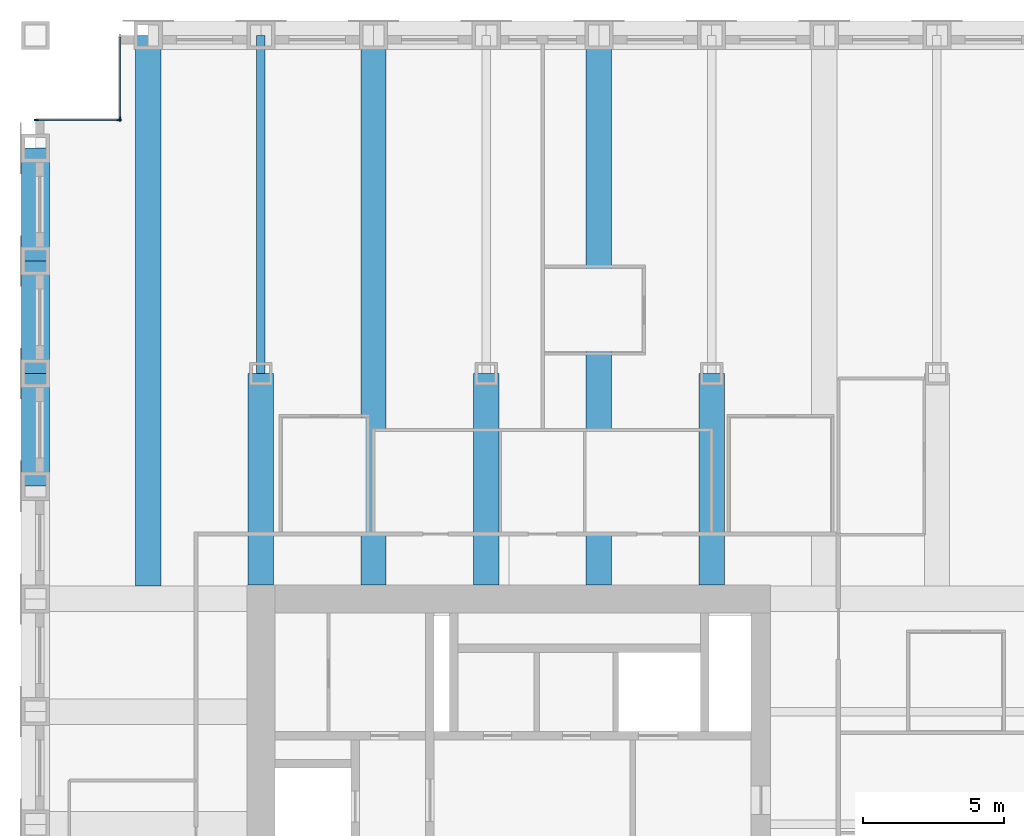
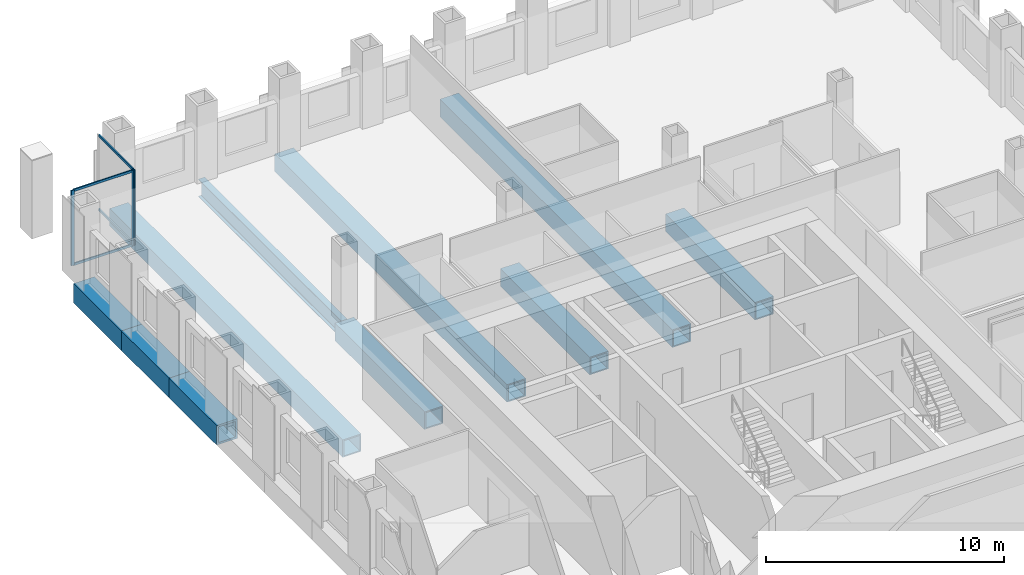
# One storey, part 5 of 14: 10 beams, 7 members, 2 elements without a shape of their own.
"""IFC4 building model written with IfcOpenShell, lengths in metres."""

from ifc_helpers import new_model, si_unit, direction, frame, origin, origin_2d, place, context, subcontext, project, spatial, rectangle, hollow_rectangle, i_section, extrude, material, material_profile, profile_set, type_object, element, aggregate, save


model = new_model("IFC4")

# Units and contexts
model_context = context("Model", 3, precision=1e-05, world=origin(), true_north=direction((0.0, 1.0)))
body_context = subcontext(model_context, "Body", "Model", "MODEL_VIEW")
ifc_project = project(units=[si_unit("LENGTHUNIT", "METRE"), si_unit("AREAUNIT", "SQUARE_METRE"), si_unit("VOLUMEUNIT", "CUBIC_METRE"), si_unit("PLANEANGLEUNIT", "RADIAN"), si_unit("MASSUNIT", "GRAM", prefix="KILO")], contexts=[model_context])

# Site, building, storey
site_placement = place(None, origin())
site = spatial("IfcSite", under=ifc_project, at=site_placement, CompositionType="ELEMENT")
building_placement = place(site_placement, origin())
building = spatial("IfcBuilding", under=site, at=building_placement, Name="Rimbunsela Tower", CompositionType="ELEMENT")
storey_placement = place(building_placement, frame((0.0, 0.0, 234.199951171875)))
storey = spatial("IfcBuildingStorey", under=building, at=storey_placement, Name="L56", CompositionType="ELEMENT", Elevation=234.199951171875)

# Beams
ifc_material_1 = material(Name="Steel BJ 55 (fy 410 MPa)", Category="steel")
ifc_material_profile_1 = material_profile(ifc_material_1, hollow_rectangle(XDim=1.0, YDim=1.0, WallThickness=0.10009765625, at=origin_2d()), Name="BOX 1000x1000x100")
ifc_profile_set_1 = profile_set([ifc_material_profile_1], Name="Steel BJ 55 (fy 410 MPa)")
beam_type_1 = type_object("IfcBeamType", Name="Beam BOX 1000x1000x100", PredefinedType="BEAM", material=ifc_profile_set_1)
for number, where, z_axis, x_axis, name in (
    (1, (10.0, 40.0, -0.64990234375), (0.0, 1.0, 0.0), (-1.0, 0.0, 0.0), "Beam B3 L56"),
    (2, (10.0, 44.0, -0.64990234375), (0.0, 1.0, 0.0), (-1.0, 0.0, 0.0), "Beam B3 L56"),
    (3, (10.0, 48.0, -0.64990234375), (0.0, 1.0, 0.0), (-1.0, 0.0, 0.0), "Beam B3 L56"),
):
    element("IfcBeam", number, at=place(storey_placement, frame(where, z_axis=z_axis, x_axis=x_axis)), inside=storey, type_object=beam_type_1, Name=name, PredefinedType="BEAM", context=body_context, shape_type="SweptSolid", body=[
        extrude(hollow_rectangle(XDim=1.0, YDim=1.0, WallThickness=0.10009765625, at=origin_2d()), origin(), (0.0, 0.0, 1.0), 4.0),
    ])
ifc_material_2 = material(Name="Steel BJ 55 (fy 410 MPa)", Category="steel")
ifc_material_profile_2 = material_profile(ifc_material_2, hollow_rectangle(XDim=0.89990234375, YDim=0.89990234375, WallThickness=0.06005859375, at=origin_2d()), Name="BOX 900x900x60")
ifc_profile_set_2 = profile_set([ifc_material_profile_2], Name="Steel BJ 55 (fy 410 MPa)")
beam_type_2 = type_object("IfcBeamType", Name="Beam BOX 900x900x60", PredefinedType="BEAM", material=ifc_profile_set_2)
beam_1_placement = place(storey_placement, frame((14.0, 36.449951171875, -0.599853515625), z_axis=(0.0, 1.0, 0.0), x_axis=(-1.0, 0.0, 0.0)))
element("IfcBeam", 4, at=beam_1_placement, inside=storey, type_object=beam_type_2, Name="Beam B1 L56", PredefinedType="BEAM", context=body_context, shape_type="SweptSolid", body=[
    extrude(hollow_rectangle(XDim=0.89990234375, YDim=0.89990234375, WallThickness=0.06005859375, at=origin_2d()), origin(), (0.0, 0.0, 1.0), 19.550048828125),
])
beam_2_placement = place(storey_placement, frame((18.0, 36.5, -0.599853515625), z_axis=(0.0, 1.0, 0.0), x_axis=(-1.0, 0.0, 0.0)))
element("IfcBeam", 5, at=beam_2_placement, inside=storey, type_object=beam_type_2, Name="Beam B1 L56", PredefinedType="BEAM", context=body_context, shape_type="SweptSolid", body=[
    extrude(hollow_rectangle(XDim=0.89990234375, YDim=0.89990234375, WallThickness=0.06005859375, at=origin_2d()), origin(), (0.0, 0.0, 1.0), 7.5),
])
beam_3_placement = place(storey_placement, frame((22.0, 36.5, -0.599853515625), z_axis=(0.0, 1.0, 0.0), x_axis=(-1.0, 0.0, 0.0)))
element("IfcBeam", 6, at=beam_3_placement, inside=storey, type_object=beam_type_2, Name="Beam B1 L56", PredefinedType="BEAM", context=body_context, shape_type="SweptSolid", body=[
    extrude(hollow_rectangle(XDim=0.89990234375, YDim=0.89990234375, WallThickness=0.06005859375, at=origin_2d()), origin(), (0.0, 0.0, 1.0), 19.5),
])
beam_4_placement = place(storey_placement, frame((26.0, 36.5, -0.599853515625), z_axis=(0.0, 1.0, 0.0), x_axis=(-1.0, 0.0, 0.0)))
element("IfcBeam", 7, at=beam_4_placement, inside=storey, type_object=beam_type_2, Name="Beam B1 L56", PredefinedType="BEAM", context=body_context, shape_type="SweptSolid", body=[
    extrude(hollow_rectangle(XDim=0.89990234375, YDim=0.89990234375, WallThickness=0.06005859375, at=origin_2d()), origin(), (0.0, 0.0, 1.0), 7.5),
])
beam_5_placement = place(storey_placement, frame((30.0, 36.5, -0.599853515625), z_axis=(0.0, 1.0, 0.0), x_axis=(-1.0, 0.0, 0.0)))
element("IfcBeam", 8, at=beam_5_placement, inside=storey, type_object=beam_type_2, Name="Beam B1 L56", PredefinedType="BEAM", context=body_context, shape_type="SweptSolid", body=[
    extrude(hollow_rectangle(XDim=0.89990234375, YDim=0.89990234375, WallThickness=0.06005859375, at=origin_2d()), origin(), (0.0, 0.0, 1.0), 19.5),
])
beam_6_placement = place(storey_placement, frame((34.0, 36.5, -0.599853515625), z_axis=(0.0, 1.0, 0.0), x_axis=(-1.0, 0.0, 0.0)))
element("IfcBeam", 9, at=beam_6_placement, inside=storey, type_object=beam_type_2, Name="Beam B1 L56", PredefinedType="BEAM", context=body_context, shape_type="SweptSolid", body=[
    extrude(hollow_rectangle(XDim=0.89990234375, YDim=0.89990234375, WallThickness=0.06005859375, at=origin_2d()), origin(), (0.0, 0.0, 1.0), 7.5),
])
ifc_material_3 = material(Name="Steel BJ 55 (fy 410 MPa)", Category="steel")
ifc_material_profile_3 = material_profile(ifc_material_3, i_section(OverallWidth=0.300048828125, OverallDepth=0.89990234375, WebThickness=0.01611328125, FlangeThickness=0.028076171875, FilletRadius=0.028076171875, at=origin_2d()), Name="H 900x300x16x28")
ifc_profile_set_3 = profile_set([ifc_material_profile_3], Name="Steel BJ 55 (fy 410 MPa)")
beam_type_3 = type_object("IfcBeamType", Name="Beam H 900x300x16x28", PredefinedType="BEAM", material=ifc_profile_set_3)
beam_7_placement = place(storey_placement, frame((18.0, 44.0, -0.599853515625), z_axis=(0.0, 1.0, 0.0), x_axis=(-1.0, 0.0, 0.0)))
element("IfcBeam", 10, at=beam_7_placement, inside=storey, type_object=beam_type_3, Name="Beam B2 L56", PredefinedType="BEAM", context=body_context, shape_type="SweptSolid", body=[
    extrude(i_section(OverallWidth=0.300048828125, OverallDepth=0.89990234375, WebThickness=0.01611328125, FlangeThickness=0.028076171875, FilletRadius=0.028076171875, at=origin_2d()), origin(), (0.0, 0.0, 1.0), 12.0),
])

# Curtain wall, member
ifc_material_4 = material(Name="Aluminium curtain wall", Category="aluminium")
curtain_wall_type = type_object("IfcCurtainWallType", Name="Corner glazing", PredefinedType="USERDEFINED", material=ifc_material_4)
curtain_wall_1_placement = place(storey_placement, origin())
curtain_wall_1 = element("IfcCurtainWall", 11, at=curtain_wall_1_placement, inside=storey, type_object=curtain_wall_type, Name="Corner glazing L56", ObjectType="CORNER GLAZING", PredefinedType="USERDEFINED")
ifc_material_5 = material(Name="Aluminium mullion", Category="aluminium")
ifc_material_profile_4 = material_profile(ifc_material_5, rectangle(XDim=0.06005859375, YDim=0.159912109375, at=origin_2d()), Name="Mullion 60x160")
ifc_profile_set_4 = profile_set([ifc_material_profile_4], Name="Aluminium mullion")
member_type_1 = type_object("IfcMemberType", Name="Curtain wall mullion 60x160", PredefinedType="MULLION", material=ifc_profile_set_4)
member_1_placement = place(storey_placement, frame((13.0, 53.030029296875, 0.0), z_axis=(0.0, 0.0, 1.0), x_axis=(1.0, 0.0, 0.0)))
member_1 = element("IfcMember", 12, at=member_1_placement, type_object=member_type_1, Name="CW5 mullion 2", PredefinedType="MULLION", context=body_context, shape_type="SweptSolid", body=[
    extrude(rectangle(XDim=0.06005859375, YDim=0.159912109375, at=origin_2d()), origin(), (0.0, 0.0, 1.0), 3.85009765625),
])

# Curtain wall, members
curtain_wall_2_placement = place(storey_placement, origin())
curtain_wall_2 = element("IfcCurtainWall", 13, at=curtain_wall_2_placement, inside=storey, type_object=curtain_wall_type, Name="Corner glazing L56", ObjectType="CORNER GLAZING", PredefinedType="USERDEFINED")
member_2_placement = place(storey_placement, frame((12.969970703125, 53.0, 0.0), z_axis=(0.0, 0.0, 1.0), x_axis=(0.0, -1.0, 0.0)))
member_2 = element("IfcMember", 14, at=member_2_placement, type_object=member_type_1, Name="CW5 mullion 1", PredefinedType="MULLION", context=body_context, shape_type="SweptSolid", body=[
    extrude(rectangle(XDim=0.06005859375, YDim=0.159912109375, at=origin_2d()), origin(), (0.0, 0.0, 1.0), 3.85009765625),
])
member_3_placement = place(storey_placement, frame((10.030029296875, 53.0, 0.0), z_axis=(0.0, 0.0, 1.0), x_axis=(0.0, -1.0, 0.0)))
member_3 = element("IfcMember", 15, at=member_3_placement, type_object=member_type_1, Name="CW5 mullion 2", PredefinedType="MULLION", context=body_context, shape_type="SweptSolid", body=[
    extrude(rectangle(XDim=0.06005859375, YDim=0.159912109375, at=origin_2d()), origin(), (0.0, 0.0, 1.0), 3.85009765625),
])

# Member
ifc_material_6 = material(Name="Aluminium transom", Category="aluminium")
ifc_material_profile_5 = material_profile(ifc_material_6, rectangle(XDim=0.06005859375, YDim=0.1201171875, at=origin_2d()), Name="Transom 60x120")
ifc_profile_set_5 = profile_set([ifc_material_profile_5], Name="Aluminium transom")
member_type_2 = type_object("IfcMemberType", Name="Curtain wall transom 60x120", PredefinedType="USERDEFINED", material=ifc_profile_set_5)
member_4_placement = place(storey_placement, frame((13.0, 55.93994140625, 0.030029296875), z_axis=(0.0, -1.0, 0.0), x_axis=(1.0, 0.0, 0.0)))
member_4 = element("IfcMember", 16, at=member_4_placement, type_object=member_type_2, Name="CW5 transom 1.1", ObjectType="TRANSOM", PredefinedType="USERDEFINED", context=body_context, shape_type="SweptSolid", body=[
    extrude(rectangle(XDim=0.06005859375, YDim=0.1201171875, at=origin_2d()), origin(), (0.0, 0.0, 1.0), 2.8798828125),
])

member_5_placement = place(storey_placement, frame((13.0, 55.93994140625, 3.820068359375), z_axis=(0.0, -1.0, 0.0), x_axis=(1.0, 0.0, 0.0)))
member_5 = element("IfcMember", 17, at=member_5_placement, type_object=member_type_2, Name="CW5 transom 1.2", ObjectType="TRANSOM", PredefinedType="USERDEFINED", context=body_context, shape_type="SweptSolid", body=[
    extrude(rectangle(XDim=0.06005859375, YDim=0.1201171875, at=origin_2d()), origin(), (0.0, 0.0, 1.0), 2.8798828125),
])

aggregate(curtain_wall_1, [member_1, member_4, member_5])

member_6_placement = place(storey_placement, frame((12.93994140625, 53.0, 0.030029296875), z_axis=(-1.0, 0.0, 0.0), x_axis=(0.0, -1.0, 0.0)))
member_6 = element("IfcMember", 18, at=member_6_placement, type_object=member_type_2, Name="CW5 transom 1.1", ObjectType="TRANSOM", PredefinedType="USERDEFINED", context=body_context, shape_type="SweptSolid", body=[
    extrude(rectangle(XDim=0.06005859375, YDim=0.1201171875, at=origin_2d()), origin(), (0.0, 0.0, 1.0), 2.8798828125),
])

member_7_placement = place(storey_placement, frame((12.93994140625, 53.0, 3.820068359375), z_axis=(-1.0, 0.0, 0.0), x_axis=(0.0, -1.0, 0.0)))
member_7 = element("IfcMember", 19, at=member_7_placement, type_object=member_type_2, Name="CW5 transom 1.2", ObjectType="TRANSOM", PredefinedType="USERDEFINED", context=body_context, shape_type="SweptSolid", body=[
    extrude(rectangle(XDim=0.06005859375, YDim=0.1201171875, at=origin_2d()), origin(), (0.0, 0.0, 1.0), 2.8798828125),
])

aggregate(curtain_wall_2, [member_2, member_3, member_6, member_7])

save(model, "model.ifc")
